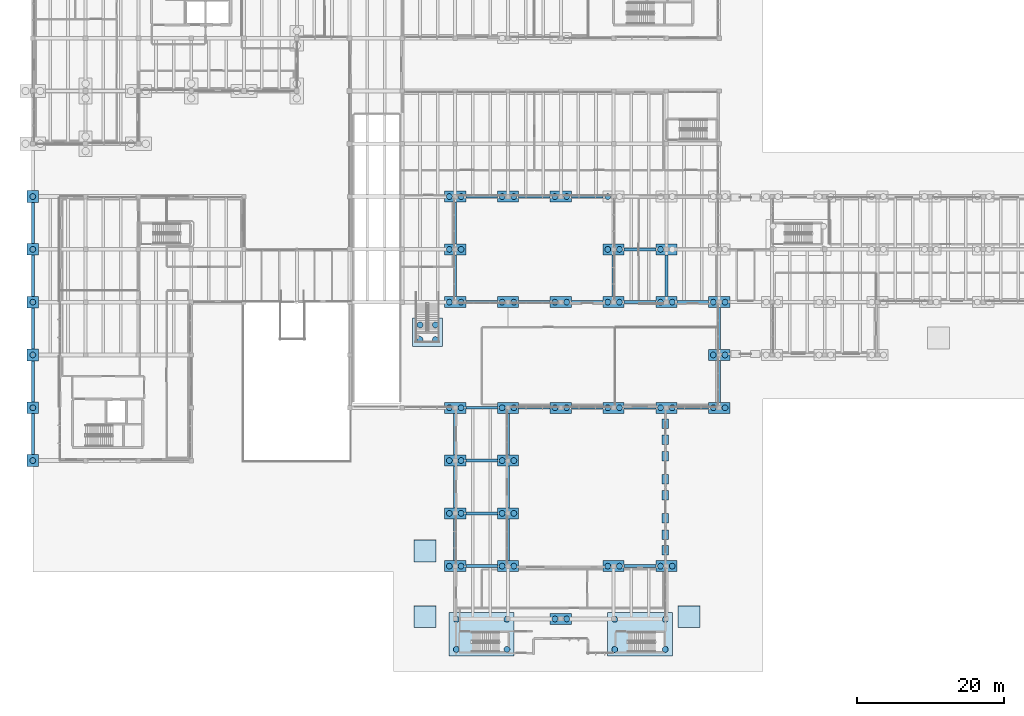
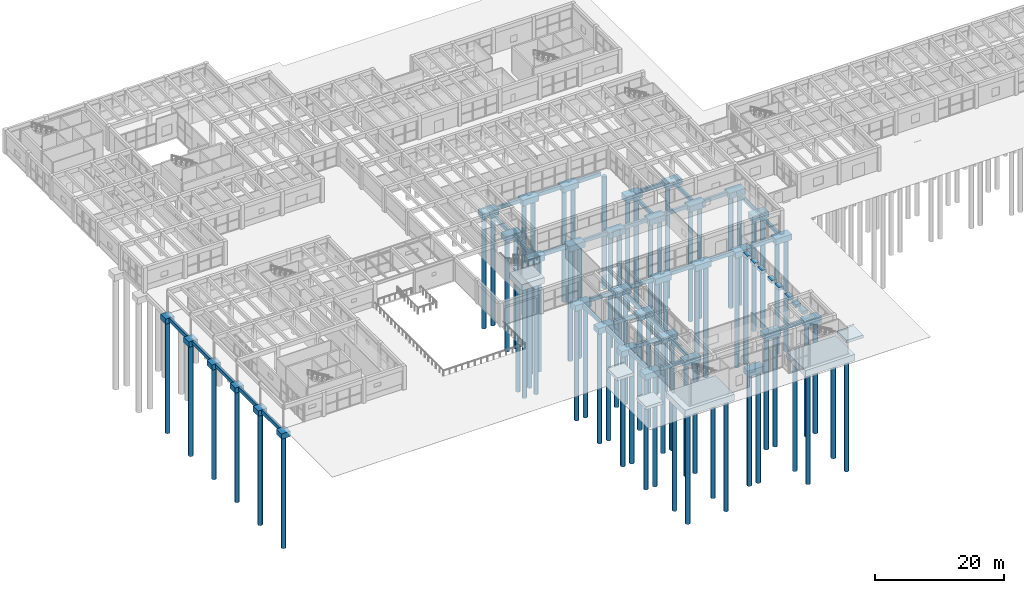
# One storey, part 1 of 155: 83 footings, 74 piles.
"""IFC4 building model written with IfcOpenShell, lengths in metres."""

from ifc_helpers import new_model, si_unit, direction, frame, origin, origin_2d, place, context, subcontext, project, spatial, rectangle, circle, extrude, material, material_profile, profile_set, type_object, element, save


model = new_model("IFC4")

# Units and contexts
model_context = context("Model", 3, precision=1e-05, world=origin(), true_north=direction((0.0, 1.0)))
body_context = subcontext(model_context, "Body", "Model", "MODEL_VIEW")
ifc_project = project(units=[si_unit("LENGTHUNIT", "METRE"), si_unit("AREAUNIT", "SQUARE_METRE"), si_unit("VOLUMEUNIT", "CUBIC_METRE"), si_unit("PLANEANGLEUNIT", "RADIAN"), si_unit("MASSUNIT", "GRAM", prefix="KILO")], contexts=[model_context])

# Site, building, storey
site_placement = place(None, origin())
site = spatial("IfcSite", under=ifc_project, at=site_placement, CompositionType="ELEMENT")
building_placement = place(site_placement, origin())
building = spatial("IfcBuilding", under=site, at=building_placement, Name="Bramvelor Terrace Health Centre", CompositionType="ELEMENT")
storey_placement = place(building_placement, origin())
storey = spatial("IfcBuildingStorey", under=building, at=storey_placement, Name="L01", CompositionType="ELEMENT", Elevation=0.0)

# Footings
ifc_material_1 = material(Name="Concrete C40/50", Category="concrete")
ifc_material_profile_1 = material_profile(ifc_material_1, rectangle(XDim=0.39990234375, YDim=0.699951171875, at=origin_2d()), Name="RC 400x700")
ifc_profile_set_1 = profile_set([ifc_material_profile_1], Name="Concrete C40/50")
footing_type_1 = type_object("IfcFootingType", Name="FTG-FB-400x700", PredefinedType="FOOTING_BEAM", material=ifc_profile_set_1)
for number, where, z_axis, x_axis, name in (
    (1, (0.0, 29.60009765625, -0.60009765625), (0.0, 1.0, 0.0), (-1.0, 0.0, 0.0), "L01 Ground Tie Beam Y (0.0, 28.8)"),
    (2, (0.0, 36.800048828125, -0.60009765625), (0.0, 1.0, 0.0), (-1.0, 0.0, 0.0), "L01 Ground Tie Beam Y (0.0, 36.0)"),
):
    element("IfcFooting", number, at=place(storey_placement, frame(where, z_axis=z_axis, x_axis=x_axis)), inside=storey, type_object=footing_type_1, Name=name, PredefinedType="FOOTING_BEAM", context=body_context, shape_type="SweptSolid", body=[
        extrude(rectangle(XDim=0.39990234375, YDim=0.699951171875, at=origin_2d()), origin(), (0.0, 0.0, 1.0), 5.599853515625),
    ])
for number, where, z_axis, x_axis, name in (
    (3, (0.0, 44.0, -0.60009765625), (0.0, 1.0, 0.0), (-1.0, 0.0, 0.0), "L01 Ground Tie Beam Y (0.0, 43.2)"),
    (4, (0.0, 51.199951171875, -0.60009765625), (0.0, 1.0, 0.0), (-1.0, 0.0, 0.0), "L01 Ground Tie Beam Y (0.0, 50.4)"),
    (5, (0.0, 58.39990234375, -0.60009765625), (0.0, 1.0, 0.0), (-1.0, 0.0, 0.0), "L01 Ground Tie Beam Y (0.0, 57.6)"),
):
    element("IfcFooting", number, at=place(storey_placement, frame(where, z_axis=z_axis, x_axis=x_axis)), inside=storey, type_object=footing_type_1, Name=name, PredefinedType="FOOTING_BEAM", context=body_context, shape_type="SweptSolid", body=[
        extrude(rectangle(XDim=0.39990234375, YDim=0.699951171875, at=origin_2d()), origin(), (0.0, 0.0, 1.0), 5.60009765625),
    ])
footing_1_placement = place(storey_placement, frame((59.050048828125, 14.39990234375, -0.60009765625), z_axis=(1.0, 0.0, 0.0), x_axis=(0.0, 1.0, 0.0)))
element("IfcFooting", 6, at=footing_1_placement, inside=storey, type_object=footing_type_1, Name="L01 Ground Tie Beam X (57.6, 14.4)", PredefinedType="FOOTING_BEAM", context=body_context, shape_type="SweptSolid", body=[
    extrude(rectangle(XDim=0.39990234375, YDim=0.699951171875, at=origin_2d()), origin(), (0.0, 0.0, 1.0), 4.300048828125),
])
footing_2_placement = place(storey_placement, frame((57.60009765625, 15.14990234375, -0.60009765625), z_axis=(0.0, 1.0, 0.0), x_axis=(-1.0, 0.0, 0.0)))
element("IfcFooting", 7, at=footing_2_placement, inside=storey, type_object=footing_type_1, Name="L01 Ground Tie Beam Y (57.6, 14.4)", PredefinedType="FOOTING_BEAM", context=body_context, shape_type="SweptSolid", body=[
    extrude(rectangle(XDim=0.39990234375, YDim=0.699951171875, at=origin_2d()), origin(), (0.0, 0.0, 1.0), 5.7001953125),
])
footing_3_placement = place(storey_placement, frame((59.050048828125, 21.60009765625, -0.60009765625), z_axis=(1.0, 0.0, 0.0), x_axis=(0.0, 1.0, 0.0)))
element("IfcFooting", 8, at=footing_3_placement, inside=storey, type_object=footing_type_1, Name="L01 Ground Tie Beam X (57.6, 21.6)", PredefinedType="FOOTING_BEAM", context=body_context, shape_type="SweptSolid", body=[
    extrude(rectangle(XDim=0.39990234375, YDim=0.699951171875, at=origin_2d()), origin(), (0.0, 0.0, 1.0), 4.300048828125),
])
footing_4_placement = place(storey_placement, frame((57.60009765625, 22.35009765625, -0.60009765625), z_axis=(0.0, 1.0, 0.0), x_axis=(-1.0, 0.0, 0.0)))
element("IfcFooting", 9, at=footing_4_placement, inside=storey, type_object=footing_type_1, Name="L01 Ground Tie Beam Y (57.6, 21.6)", PredefinedType="FOOTING_BEAM", context=body_context, shape_type="SweptSolid", body=[
    extrude(rectangle(XDim=0.39990234375, YDim=0.699951171875, at=origin_2d()), origin(), (0.0, 0.0, 1.0), 5.699951171875),
])
footing_5_placement = place(storey_placement, frame((59.050048828125, 28.800048828125, -0.60009765625), z_axis=(1.0, 0.0, 0.0), x_axis=(0.0, 1.0, 0.0)))
element("IfcFooting", 10, at=footing_5_placement, inside=storey, type_object=footing_type_1, Name="L01 Ground Tie Beam X (57.6, 28.8)", PredefinedType="FOOTING_BEAM", context=body_context, shape_type="SweptSolid", body=[
    extrude(rectangle(XDim=0.39990234375, YDim=0.699951171875, at=origin_2d()), origin(), (0.0, 0.0, 1.0), 4.300048828125),
])
footing_6_placement = place(storey_placement, frame((57.60009765625, 29.550048828125, -0.60009765625), z_axis=(0.0, 1.0, 0.0), x_axis=(-1.0, 0.0, 0.0)))
element("IfcFooting", 11, at=footing_6_placement, inside=storey, type_object=footing_type_1, Name="L01 Ground Tie Beam Y (57.6, 28.8)", PredefinedType="FOOTING_BEAM", context=body_context, shape_type="SweptSolid", body=[
    extrude(rectangle(XDim=0.39990234375, YDim=0.699951171875, at=origin_2d()), origin(), (0.0, 0.0, 1.0), 5.699951171875),
])
for number, where, z_axis, x_axis, name in (
    (12, (59.050048828125, 36.0, -0.60009765625), (1.0, 0.0, 0.0), (0.0, 1.0, 0.0), "L01 Ground Tie Beam X (57.6, 36.0)"),
    (13, (59.050048828125, 50.39990234375, -0.60009765625), (1.0, 0.0, 0.0), (0.0, 1.0, 0.0), "L01 Ground Tie Beam X (57.6, 50.4)"),
):
    element("IfcFooting", number, at=place(storey_placement, frame(where, z_axis=z_axis, x_axis=x_axis)), inside=storey, type_object=footing_type_1, Name=name, PredefinedType="FOOTING_BEAM", context=body_context, shape_type="SweptSolid", body=[
        extrude(rectangle(XDim=0.39990234375, YDim=0.699951171875, at=origin_2d()), origin(), (0.0, 0.0, 1.0), 4.300048828125),
    ])
footing_7_placement = place(storey_placement, frame((57.60009765625, 51.14990234375, -0.60009765625), z_axis=(0.0, 1.0, 0.0), x_axis=(-1.0, 0.0, 0.0)))
element("IfcFooting", 14, at=footing_7_placement, inside=storey, type_object=footing_type_1, Name="L01 Ground Tie Beam Y (57.6, 50.4)", PredefinedType="FOOTING_BEAM", context=body_context, shape_type="SweptSolid", body=[
    extrude(rectangle(XDim=0.39990234375, YDim=0.699951171875, at=origin_2d()), origin(), (0.0, 0.0, 1.0), 5.7001953125),
])
footing_8_placement = place(storey_placement, frame((57.60009765625, 58.35009765625, -0.60009765625), z_axis=(0.0, 1.0, 0.0), x_axis=(-1.0, 0.0, 0.0)))
element("IfcFooting", 15, at=footing_8_placement, inside=storey, type_object=footing_type_1, Name="L01 Ground Tie Beam Y (57.6, 57.6)", PredefinedType="FOOTING_BEAM", context=body_context, shape_type="SweptSolid", body=[
    extrude(rectangle(XDim=0.39990234375, YDim=0.699951171875, at=origin_2d()), origin(), (0.0, 0.0, 1.0), 5.699951171875),
])
footing_9_placement = place(storey_placement, frame((59.050048828125, 64.800048828125, -0.60009765625), z_axis=(1.0, 0.0, 0.0), x_axis=(0.0, 1.0, 0.0)))
element("IfcFooting", 16, at=footing_9_placement, inside=storey, type_object=footing_type_1, Name="L01 Ground Tie Beam X (57.6, 64.8)", PredefinedType="FOOTING_BEAM", context=body_context, shape_type="SweptSolid", body=[
    extrude(rectangle(XDim=0.39990234375, YDim=0.699951171875, at=origin_2d()), origin(), (0.0, 0.0, 1.0), 4.300048828125),
])
footing_10_placement = place(storey_placement, frame((64.800048828125, 15.14990234375, -0.60009765625), z_axis=(0.0, 1.0, 0.0), x_axis=(-1.0, 0.0, 0.0)))
element("IfcFooting", 17, at=footing_10_placement, inside=storey, type_object=footing_type_1, Name="L01 Ground Tie Beam Y (64.8, 14.4)", PredefinedType="FOOTING_BEAM", context=body_context, shape_type="SweptSolid", body=[
    extrude(rectangle(XDim=0.39990234375, YDim=0.699951171875, at=origin_2d()), origin(), (0.0, 0.0, 1.0), 5.7001953125),
])
for number, where, z_axis, x_axis, name in (
    (18, (64.800048828125, 22.35009765625, -0.60009765625), (0.0, 1.0, 0.0), (-1.0, 0.0, 0.0), "L01 Ground Tie Beam Y (64.8, 21.6)"),
    (19, (64.800048828125, 29.550048828125, -0.60009765625), (0.0, 1.0, 0.0), (-1.0, 0.0, 0.0), "L01 Ground Tie Beam Y (64.8, 28.8)"),
):
    element("IfcFooting", number, at=place(storey_placement, frame(where, z_axis=z_axis, x_axis=x_axis)), inside=storey, type_object=footing_type_1, Name=name, PredefinedType="FOOTING_BEAM", context=body_context, shape_type="SweptSolid", body=[
        extrude(rectangle(XDim=0.39990234375, YDim=0.699951171875, at=origin_2d()), origin(), (0.0, 0.0, 1.0), 5.699951171875),
    ])
for number, where, z_axis, x_axis, name in (
    (20, (66.25, 36.0, -0.60009765625), (1.0, 0.0, 0.0), (0.0, 1.0, 0.0), "L01 Ground Tie Beam X (64.8, 36.0)"),
    (21, (66.25, 50.39990234375, -0.60009765625), (1.0, 0.0, 0.0), (0.0, 1.0, 0.0), "L01 Ground Tie Beam X (64.8, 50.4)"),
    (22, (66.25, 64.800048828125, -0.60009765625), (1.0, 0.0, 0.0), (0.0, 1.0, 0.0), "L01 Ground Tie Beam X (64.8, 64.8)"),
    (23, (73.449951171875, 36.0, -0.60009765625), (1.0, 0.0, 0.0), (0.0, 1.0, 0.0), "L01 Ground Tie Beam X (72.0, 36.0)"),
    (24, (73.449951171875, 50.39990234375, -0.60009765625), (1.0, 0.0, 0.0), (0.0, 1.0, 0.0), "L01 Ground Tie Beam X (72.0, 50.4)"),
    (25, (73.449951171875, 64.800048828125, -0.60009765625), (1.0, 0.0, 0.0), (0.0, 1.0, 0.0), "L01 Ground Tie Beam X (72.0, 64.8)"),
    (26, (80.64990234375, 14.39990234375, -0.60009765625), (1.0, 0.0, 0.0), (0.0, 1.0, 0.0), "L01 Ground Tie Beam X (79.2, 14.4)"),
    (27, (80.64990234375, 36.0, -0.60009765625), (1.0, 0.0, 0.0), (0.0, 1.0, 0.0), "L01 Ground Tie Beam X (79.2, 36.0)"),
    (28, (80.64990234375, 50.39990234375, -0.60009765625), (1.0, 0.0, 0.0), (0.0, 1.0, 0.0), "L01 Ground Tie Beam X (79.2, 50.4)"),
):
    element("IfcFooting", number, at=place(storey_placement, frame(where, z_axis=z_axis, x_axis=x_axis)), inside=storey, type_object=footing_type_1, Name=name, PredefinedType="FOOTING_BEAM", context=body_context, shape_type="SweptSolid", body=[
        extrude(rectangle(XDim=0.39990234375, YDim=0.699951171875, at=origin_2d()), origin(), (0.0, 0.0, 1.0), 4.300048828125),
    ])
footing_11_placement = place(storey_placement, frame((79.199951171875, 51.14990234375, -0.60009765625), z_axis=(0.0, 1.0, 0.0), x_axis=(-1.0, 0.0, 0.0)))
element("IfcFooting", 29, at=footing_11_placement, inside=storey, type_object=footing_type_1, Name="L01 Ground Tie Beam Y (79.2, 50.4)", PredefinedType="FOOTING_BEAM", context=body_context, shape_type="SweptSolid", body=[
    extrude(rectangle(XDim=0.39990234375, YDim=0.699951171875, at=origin_2d()), origin(), (0.0, 0.0, 1.0), 5.7001953125),
])
footing_12_placement = place(storey_placement, frame((80.64990234375, 57.60009765625, -0.60009765625), z_axis=(1.0, 0.0, 0.0), x_axis=(0.0, 1.0, 0.0)))
element("IfcFooting", 30, at=footing_12_placement, inside=storey, type_object=footing_type_1, Name="L01 Ground Tie Beam X (79.2, 57.6)", PredefinedType="FOOTING_BEAM", context=body_context, shape_type="SweptSolid", body=[
    extrude(rectangle(XDim=0.39990234375, YDim=0.699951171875, at=origin_2d()), origin(), (0.0, 0.0, 1.0), 4.300048828125),
])
for number, where, z_axis, x_axis, name in (
    (31, (87.85009765625, 36.0, -0.60009765625), (1.0, 0.0, 0.0), (0.0, 1.0, 0.0), "L01 Ground Tie Beam X (86.4, 36.0)"),
    (32, (87.85009765625, 50.39990234375, -0.60009765625), (1.0, 0.0, 0.0), (0.0, 1.0, 0.0), "L01 Ground Tie Beam X (86.4, 50.4)"),
):
    element("IfcFooting", number, at=place(storey_placement, frame(where, z_axis=z_axis, x_axis=x_axis)), inside=storey, type_object=footing_type_1, Name=name, PredefinedType="FOOTING_BEAM", context=body_context, shape_type="SweptSolid", body=[
        extrude(rectangle(XDim=0.39990234375, YDim=0.699951171875, at=origin_2d()), origin(), (0.0, 0.0, 1.0), 4.2998046875),
    ])
footing_13_placement = place(storey_placement, frame((86.39990234375, 51.14990234375, -0.60009765625), z_axis=(0.0, 1.0, 0.0), x_axis=(-1.0, 0.0, 0.0)))
element("IfcFooting", 33, at=footing_13_placement, inside=storey, type_object=footing_type_1, Name="L01 Ground Tie Beam Y (86.4, 50.4)", PredefinedType="FOOTING_BEAM", context=body_context, shape_type="SweptSolid", body=[
    extrude(rectangle(XDim=0.39990234375, YDim=0.699951171875, at=origin_2d()), origin(), (0.0, 0.0, 1.0), 5.7001953125),
])
for number, where, z_axis, x_axis, name in (
    (34, (93.60009765625, 36.75, -0.60009765625), (0.0, 1.0, 0.0), (-1.0, 0.0, 0.0), "L01 Ground Tie Beam Y (93.6, 36.0)"),
    (35, (93.60009765625, 43.949951171875, -0.60009765625), (0.0, 1.0, 0.0), (-1.0, 0.0, 0.0), "L01 Ground Tie Beam Y (93.6, 43.2)"),
):
    element("IfcFooting", number, at=place(storey_placement, frame(where, z_axis=z_axis, x_axis=x_axis)), inside=storey, type_object=footing_type_1, Name=name, PredefinedType="FOOTING_BEAM", context=body_context, shape_type="SweptSolid", body=[
        extrude(rectangle(XDim=0.39990234375, YDim=0.699951171875, at=origin_2d()), origin(), (0.0, 0.0, 1.0), 5.699951171875),
    ])
ifc_material_2 = material(Name="Concrete C40/50", Category="concrete")
footing_type_2 = type_object("IfcFootingType", Name="FTG-PAD-GATE", PredefinedType="PAD_FOOTING", material=ifc_material_2)
for number, where, z_axis, x_axis, name in (
    (36, (86.27001953125, 16.550048828125, -0.60009765625), (0.0, 0.0, 1.0), (1.0, 0.0, 0.0), "Service Yard Gate Pad Footing 1A"),
    (37, (86.27001953125, 18.68994140625, -0.60009765625), (0.0, 0.0, 1.0), (1.0, 0.0, 0.0), "Service Yard Gate Pad Footing 1B"),
    (38, (86.27001953125, 20.909912109375, -0.60009765625), (0.0, 0.0, 1.0), (1.0, 0.0, 0.0), "Service Yard Gate Pad Footing 2A"),
    (39, (86.27001953125, 24.050048828125, -0.60009765625), (0.0, 0.0, 1.0), (1.0, 0.0, 0.0), "Service Yard Gate Pad Footing 2B"),
    (40, (86.27001953125, 26.27001953125, -0.60009765625), (0.0, 0.0, 1.0), (1.0, 0.0, 0.0), "Service Yard Gate Pad Footing 3A"),
    (41, (86.27001953125, 29.409912109375, -0.60009765625), (0.0, 0.0, 1.0), (1.0, 0.0, 0.0), "Service Yard Gate Pad Footing 3B"),
    (42, (86.27001953125, 31.6298828125, -0.60009765625), (0.0, 0.0, 1.0), (1.0, 0.0, 0.0), "Service Yard Gate Pad Footing 4A"),
    (43, (86.27001953125, 33.830078125, -0.60009765625), (0.0, 0.0, 1.0), (1.0, 0.0, 0.0), "Service Yard Gate Pad Footing 4B"),
):
    element("IfcFooting", number, at=place(storey_placement, frame(where, z_axis=z_axis, x_axis=x_axis)), inside=storey, type_object=footing_type_2, Name=name, PredefinedType="PAD_FOOTING", context=body_context, shape_type="SweptSolid", body=[
        extrude(rectangle(XDim=0.89990234375, YDim=1.300048828125, at=origin_2d()), origin(), (0.0, 0.0, 1.0), 0.60009765625),
    ])
ifc_material_3 = material(Name="Concrete C40/50", Category="concrete")
footing_type_3 = type_object("IfcFootingType", Name="FTG-PAD-RMP", PredefinedType="PAD_FOOTING", material=ifc_material_3)
for number, where, z_axis, x_axis, name in (
    (44, (53.5, 7.5, -0.77490234375), (0.0, 0.0, 1.0), (1.0, 0.0, 0.0), "Accessible Ramp PR1 Pad Foundation"),
    (45, (89.5, 7.5, -0.77490234375), (0.0, 0.0, 1.0), (1.0, 0.0, 0.0), "Accessible Ramp PR2 Pad Foundation"),
    (46, (53.5, 16.5, -0.77490234375), (0.0, 0.0, 1.0), (1.0, 0.0, 0.0), "Accessible Ramp PR3 Pad Foundation"),
):
    element("IfcFooting", number, at=place(storey_placement, frame(where, z_axis=z_axis, x_axis=x_axis)), inside=storey, type_object=footing_type_3, Name=name, PredefinedType="PAD_FOOTING", context=body_context, shape_type="SweptSolid", body=[
        extrude(rectangle(XDim=3.0, YDim=3.0, at=origin_2d()), origin(), (0.0, 0.0, 1.0), 0.550048828125),
    ])
ifc_material_4 = material(Name="Concrete C40/50", Category="concrete")
footing_type_4 = type_object("IfcFootingType", Name="FTG-PC-1P-800", PredefinedType="PILE_CAP", material=ifc_material_4)
for number, where, z_axis, x_axis, name in (
    (47, (0.0, 28.800048828125, -1.25), (0.0, 0.0, 1.0), (1.0, 0.0, 0.0), "L01 Pile Cap (0.0, 28.8)"),
    (48, (0.0, 36.0, -1.25), (0.0, 0.0, 1.0), (1.0, 0.0, 0.0), "L01 Pile Cap (0.0, 36.0)"),
    (49, (0.0, 43.199951171875, -1.25), (0.0, 0.0, 1.0), (1.0, 0.0, 0.0), "L01 Pile Cap (0.0, 43.2)"),
    (50, (0.0, 50.39990234375, -1.25), (0.0, 0.0, 1.0), (1.0, 0.0, 0.0), "L01 Pile Cap (0.0, 50.4)"),
    (51, (0.0, 57.60009765625, -1.25), (0.0, 0.0, 1.0), (1.0, 0.0, 0.0), "L01 Pile Cap (0.0, 57.6)"),
    (52, (0.0, 64.800048828125, -1.25), (0.0, 0.0, 1.0), (1.0, 0.0, 0.0), "L01 Pile Cap (0.0, 64.8)"),
):
    element("IfcFooting", number, at=place(storey_placement, frame(where, z_axis=z_axis, x_axis=x_axis)), inside=storey, type_object=footing_type_4, Name=name, PredefinedType="PILE_CAP", context=body_context, shape_type="SweptSolid", body=[
        extrude(rectangle(XDim=1.60009765625, YDim=1.60009765625, at=origin_2d()), origin(), (0.0, 0.0, 1.0), 1.0),
    ])
ifc_material_5 = material(Name="Concrete C40/50", Category="concrete")
footing_type_5 = type_object("IfcFootingType", Name="FTG-PC-2PX-800", PredefinedType="PILE_CAP", material=ifc_material_5)
for number, where, z_axis, x_axis, name in (
    (53, (57.60009765625, 14.39990234375, -1.35009765625), (0.0, 0.0, 1.0), (1.0, 0.0, 0.0), "L01 Pile Cap (57.6, 14.4)"),
    (54, (57.60009765625, 21.60009765625, -1.35009765625), (0.0, 0.0, 1.0), (1.0, 0.0, 0.0), "L01 Pile Cap (57.6, 21.6)"),
    (55, (57.60009765625, 28.800048828125, -1.35009765625), (0.0, 0.0, 1.0), (1.0, 0.0, 0.0), "L01 Pile Cap (57.6, 28.8)"),
    (56, (57.60009765625, 36.0, -1.35009765625), (0.0, 0.0, 1.0), (1.0, 0.0, 0.0), "L01 Pile Cap (57.6, 36.0)"),
    (57, (57.60009765625, 50.39990234375, -1.35009765625), (0.0, 0.0, 1.0), (1.0, 0.0, 0.0), "L01 Pile Cap (57.6, 50.4)"),
    (58, (57.60009765625, 57.60009765625, -1.35009765625), (0.0, 0.0, 1.0), (1.0, 0.0, 0.0), "L01 Pile Cap (57.6, 57.6)"),
    (59, (57.60009765625, 64.800048828125, -1.35009765625), (0.0, 0.0, 1.0), (1.0, 0.0, 0.0), "L01 Pile Cap (57.6, 64.8)"),
    (60, (64.800048828125, 14.39990234375, -1.35009765625), (0.0, 0.0, 1.0), (1.0, 0.0, 0.0), "L01 Pile Cap (64.8, 14.4)"),
    (61, (64.800048828125, 21.60009765625, -1.35009765625), (0.0, 0.0, 1.0), (1.0, 0.0, 0.0), "L01 Pile Cap (64.8, 21.6)"),
    (62, (64.800048828125, 28.800048828125, -1.35009765625), (0.0, 0.0, 1.0), (1.0, 0.0, 0.0), "L01 Pile Cap (64.8, 28.8)"),
    (63, (64.800048828125, 36.0, -1.35009765625), (0.0, 0.0, 1.0), (1.0, 0.0, 0.0), "L01 Pile Cap (64.8, 36.0)"),
    (64, (64.800048828125, 50.39990234375, -1.35009765625), (0.0, 0.0, 1.0), (1.0, 0.0, 0.0), "L01 Pile Cap (64.8, 50.4)"),
    (65, (64.800048828125, 64.800048828125, -1.35009765625), (0.0, 0.0, 1.0), (1.0, 0.0, 0.0), "L01 Pile Cap (64.8, 64.8)"),
    (66, (72.0, 7.199951171875, -1.35009765625), (0.0, 0.0, 1.0), (1.0, 0.0, 0.0), "L01 Pile Cap (72.0, 7.2)"),
    (67, (72.0, 36.0, -1.35009765625), (0.0, 0.0, 1.0), (1.0, 0.0, 0.0), "L01 Pile Cap (72.0, 36.0)"),
    (68, (72.0, 50.39990234375, -1.35009765625), (0.0, 0.0, 1.0), (1.0, 0.0, 0.0), "L01 Pile Cap (72.0, 50.4)"),
    (69, (72.0, 64.800048828125, -1.35009765625), (0.0, 0.0, 1.0), (1.0, 0.0, 0.0), "L01 Pile Cap (72.0, 64.8)"),
    (70, (79.199951171875, 14.39990234375, -1.35009765625), (0.0, 0.0, 1.0), (1.0, 0.0, 0.0), "L01 Pile Cap (79.2, 14.4)"),
    (71, (79.199951171875, 36.0, -1.35009765625), (0.0, 0.0, 1.0), (1.0, 0.0, 0.0), "L01 Pile Cap (79.2, 36.0)"),
    (72, (79.199951171875, 50.39990234375, -1.35009765625), (0.0, 0.0, 1.0), (1.0, 0.0, 0.0), "L01 Pile Cap (79.2, 50.4)"),
    (73, (79.199951171875, 57.60009765625, -1.35009765625), (0.0, 0.0, 1.0), (1.0, 0.0, 0.0), "L01 Pile Cap (79.2, 57.6)"),
    (74, (86.39990234375, 14.39990234375, -1.35009765625), (0.0, 0.0, 1.0), (1.0, 0.0, 0.0), "L01 Pile Cap (86.4, 14.4)"),
    (75, (86.39990234375, 36.0, -1.35009765625), (0.0, 0.0, 1.0), (1.0, 0.0, 0.0), "L01 Pile Cap (86.4, 36.0)"),
    (76, (86.39990234375, 50.39990234375, -1.35009765625), (0.0, 0.0, 1.0), (1.0, 0.0, 0.0), "L01 Pile Cap (86.4, 50.4)"),
    (77, (86.39990234375, 57.60009765625, -1.35009765625), (0.0, 0.0, 1.0), (1.0, 0.0, 0.0), "L01 Pile Cap (86.4, 57.6)"),
    (78, (93.60009765625, 36.0, -1.35009765625), (0.0, 0.0, 1.0), (1.0, 0.0, 0.0), "L01 Pile Cap (93.6, 36.0)"),
    (79, (93.60009765625, 43.199951171875, -1.35009765625), (0.0, 0.0, 1.0), (1.0, 0.0, 0.0), "L01 Pile Cap (93.6, 43.2)"),
    (80, (93.60009765625, 50.39990234375, -1.35009765625), (0.0, 0.0, 1.0), (1.0, 0.0, 0.0), "L01 Pile Cap (93.6, 50.4)"),
):
    element("IfcFooting", number, at=place(storey_placement, frame(where, z_axis=z_axis, x_axis=x_axis)), inside=storey, type_object=footing_type_5, Name=name, PredefinedType="PILE_CAP", context=body_context, shape_type="SweptSolid", body=[
        extrude(rectangle(XDim=2.89990234375, YDim=1.5, at=origin_2d()), origin(), (0.0, 0.0, 1.0), 1.10009765625),
    ])
ifc_material_6 = material(Name="Concrete C40/50", Category="concrete")
footing_type_6 = type_object("IfcFootingType", Name="FTG-PC-ST11", PredefinedType="PILE_CAP", material=ifc_material_6)
footing_14_placement = place(storey_placement, frame((53.85009765625, 46.300048828125, -1.39990234375), z_axis=(0.0, 0.0, 1.0), x_axis=(1.0, 0.0, 0.0)))
element("IfcFooting", 81, at=footing_14_placement, inside=storey, type_object=footing_type_6, Name="ST-11 Half-Landing Pile Cap", PredefinedType="PILE_CAP", context=body_context, shape_type="SweptSolid", body=[
    extrude(rectangle(XDim=4.10009765625, YDim=3.89990234375, at=origin_2d()), origin(), (0.0, 0.0, 1.0), 1.14990234375),
])
ifc_material_7 = material(Name="Concrete C40/50", Category="concrete")
footing_type_7 = type_object("IfcFootingType", Name="FTG-PC-STR-S10", PredefinedType="PILE_CAP", material=ifc_material_7)
footing_15_placement = place(storey_placement, frame((82.800048828125, 5.10009765625, -1.4501953125), z_axis=(0.0, 0.0, 1.0), x_axis=(1.0, 0.0, 0.0)))
element("IfcFooting", 82, at=footing_15_placement, inside=storey, type_object=footing_type_7, Name="ST-10 Stair Shaft Pile Cap", PredefinedType="PILE_CAP", context=body_context, shape_type="SweptSolid", body=[
    extrude(rectangle(XDim=8.89990234375, YDim=5.89990234375, at=origin_2d()), origin(), (0.0, 0.0, 1.0), 1.199951171875),
])
ifc_material_8 = material(Name="Concrete C40/50", Category="concrete")
footing_type_8 = type_object("IfcFootingType", Name="FTG-PC-STR-S9", PredefinedType="PILE_CAP", material=ifc_material_8)
footing_16_placement = place(storey_placement, frame((61.199951171875, 5.10009765625, -1.4501953125), z_axis=(0.0, 0.0, 1.0), x_axis=(1.0, 0.0, 0.0)))
element("IfcFooting", 83, at=footing_16_placement, inside=storey, type_object=footing_type_8, Name="ST-9 Stair Shaft Pile Cap", PredefinedType="PILE_CAP", context=body_context, shape_type="SweptSolid", body=[
    extrude(rectangle(XDim=8.89990234375, YDim=5.89990234375, at=origin_2d()), origin(), (0.0, 0.0, 1.0), 1.199951171875),
])

# Piles
ifc_material_9 = material(Name="Concrete C40/50", Category="concrete")
ifc_material_profile_2 = material_profile(ifc_material_9, circle(Radius=0.39990234375, at=origin_2d()), Name="BP D800")
ifc_profile_set_2 = profile_set([ifc_material_profile_2], Name="Concrete C40/50")
pile_type = type_object("IfcPileType", Name="PILE-BP-800", PredefinedType="BORED", material=ifc_profile_set_2)
for number, where, z_axis, x_axis, name in (
    (84, (57.75, 3.050048828125, -1.330078125), (0.0, 0.0, -1.0), (1.0, 0.0, 0.0), "ST-9 Bored Pile 1"),
    (85, (64.64990234375, 3.050048828125, -1.330078125), (0.0, 0.0, -1.0), (1.0, 0.0, 0.0), "ST-9 Bored Pile 2"),
    (86, (57.75, 7.14990234375, -1.330078125), (0.0, 0.0, -1.0), (1.0, 0.0, 0.0), "ST-9 Bored Pile 3"),
    (87, (64.64990234375, 7.14990234375, -1.330078125), (0.0, 0.0, -1.0), (1.0, 0.0, 0.0), "ST-9 Bored Pile 4"),
    (88, (79.35009765625, 3.050048828125, -1.330078125), (0.0, 0.0, -1.0), (1.0, 0.0, 0.0), "ST-10 Bored Pile 1"),
    (89, (86.25, 3.050048828125, -1.330078125), (0.0, 0.0, -1.0), (1.0, 0.0, 0.0), "ST-10 Bored Pile 2"),
    (90, (79.35009765625, 7.14990234375, -1.330078125), (0.0, 0.0, -1.0), (1.0, 0.0, 0.0), "ST-10 Bored Pile 3"),
    (91, (86.25, 7.14990234375, -1.330078125), (0.0, 0.0, -1.0), (1.0, 0.0, 0.0), "ST-10 Bored Pile 4"),
):
    element("IfcPile", number, at=place(storey_placement, frame(where, z_axis=z_axis, x_axis=x_axis)), inside=storey, type_object=pile_type, Name=name, PredefinedType="BORED", context=body_context, shape_type="SweptSolid", body=[
        extrude(circle(Radius=0.39990234375, at=origin_2d()), origin(), (0.0, 0.0, 1.0), 21.169921875),
    ])
for number, where, z_axis, x_axis, name in (
    (92, (52.800048828125, 45.300048828125, -1.280029296875), (0.0, 0.0, -1.0), (1.0, 0.0, 0.0), "ST-11 Bored Pile 1"),
    (93, (54.89990234375, 45.300048828125, -1.280029296875), (0.0, 0.0, -1.0), (1.0, 0.0, 0.0), "ST-11 Bored Pile 2"),
    (94, (52.800048828125, 47.300048828125, -1.280029296875), (0.0, 0.0, -1.0), (1.0, 0.0, 0.0), "ST-11 Bored Pile 3"),
    (95, (54.89990234375, 47.300048828125, -1.280029296875), (0.0, 0.0, -1.0), (1.0, 0.0, 0.0), "ST-11 Bored Pile 4"),
):
    element("IfcPile", number, at=place(storey_placement, frame(where, z_axis=z_axis, x_axis=x_axis)), inside=storey, type_object=pile_type, Name=name, PredefinedType="BORED", context=body_context, shape_type="SweptSolid", body=[
        extrude(circle(Radius=0.39990234375, at=origin_2d()), origin(), (0.0, 0.0, 1.0), 21.219970703125),
    ])
for number, where, z_axis, x_axis, name in (
    (96, (0.0, 28.800048828125, -1.1298828125), (0.0, 0.0, -1.0), (1.0, 0.0, 0.0), "L01 Bored Pile (0.0, 28.8)"),
    (97, (0.0, 36.0, -1.1298828125), (0.0, 0.0, -1.0), (1.0, 0.0, 0.0), "L01 Bored Pile (0.0, 36.0)"),
    (98, (0.0, 43.199951171875, -1.1298828125), (0.0, 0.0, -1.0), (1.0, 0.0, 0.0), "L01 Bored Pile (0.0, 43.2)"),
    (99, (0.0, 50.39990234375, -1.1298828125), (0.0, 0.0, -1.0), (1.0, 0.0, 0.0), "L01 Bored Pile (0.0, 50.4)"),
    (100, (0.0, 57.60009765625, -1.1298828125), (0.0, 0.0, -1.0), (1.0, 0.0, 0.0), "L01 Bored Pile (0.0, 57.6)"),
    (101, (0.0, 64.800048828125, -1.1298828125), (0.0, 0.0, -1.0), (1.0, 0.0, 0.0), "L01 Bored Pile (0.0, 64.8)"),
):
    element("IfcPile", number, at=place(storey_placement, frame(where, z_axis=z_axis, x_axis=x_axis)), inside=storey, type_object=pile_type, Name=name, PredefinedType="BORED", context=body_context, shape_type="SweptSolid", body=[
        extrude(circle(Radius=0.39990234375, at=origin_2d()), origin(), (0.0, 0.0, 1.0), 21.3701171875),
    ])
for number, where, z_axis, x_axis, name in (
    (102, (56.800048828125, 14.39990234375, -1.22998046875), (0.0, 0.0, -1.0), (1.0, 0.0, 0.0), "L01 Bored Pile (56.8, 14.4)"),
    (103, (58.39990234375, 14.39990234375, -1.22998046875), (0.0, 0.0, -1.0), (1.0, 0.0, 0.0), "L01 Bored Pile (58.4, 14.4)"),
    (104, (56.800048828125, 21.60009765625, -1.22998046875), (0.0, 0.0, -1.0), (1.0, 0.0, 0.0), "L01 Bored Pile (56.8, 21.6)"),
    (105, (58.39990234375, 21.60009765625, -1.22998046875), (0.0, 0.0, -1.0), (1.0, 0.0, 0.0), "L01 Bored Pile (58.4, 21.6)"),
    (106, (56.800048828125, 28.800048828125, -1.22998046875), (0.0, 0.0, -1.0), (1.0, 0.0, 0.0), "L01 Bored Pile (56.8, 28.8)"),
    (107, (58.39990234375, 28.800048828125, -1.22998046875), (0.0, 0.0, -1.0), (1.0, 0.0, 0.0), "L01 Bored Pile (58.4, 28.8)"),
    (108, (56.800048828125, 36.0, -1.22998046875), (0.0, 0.0, -1.0), (1.0, 0.0, 0.0), "L01 Bored Pile (56.8, 36.0)"),
    (109, (58.39990234375, 36.0, -1.22998046875), (0.0, 0.0, -1.0), (1.0, 0.0, 0.0), "L01 Bored Pile (58.4, 36.0)"),
    (110, (56.800048828125, 50.39990234375, -1.22998046875), (0.0, 0.0, -1.0), (1.0, 0.0, 0.0), "L01 Bored Pile (56.8, 50.4)"),
    (111, (58.39990234375, 50.39990234375, -1.22998046875), (0.0, 0.0, -1.0), (1.0, 0.0, 0.0), "L01 Bored Pile (58.4, 50.4)"),
    (112, (56.800048828125, 57.60009765625, -1.22998046875), (0.0, 0.0, -1.0), (1.0, 0.0, 0.0), "L01 Bored Pile (56.8, 57.6)"),
    (113, (58.39990234375, 57.60009765625, -1.22998046875), (0.0, 0.0, -1.0), (1.0, 0.0, 0.0), "L01 Bored Pile (58.4, 57.6)"),
    (114, (56.800048828125, 64.800048828125, -1.22998046875), (0.0, 0.0, -1.0), (1.0, 0.0, 0.0), "L01 Bored Pile (56.8, 64.8)"),
    (115, (58.39990234375, 64.800048828125, -1.22998046875), (0.0, 0.0, -1.0), (1.0, 0.0, 0.0), "L01 Bored Pile (58.4, 64.8)"),
    (116, (64.0, 14.39990234375, -1.22998046875), (0.0, 0.0, -1.0), (1.0, 0.0, 0.0), "L01 Bored Pile (64.0, 14.4)"),
    (117, (65.60009765625, 14.39990234375, -1.22998046875), (0.0, 0.0, -1.0), (1.0, 0.0, 0.0), "L01 Bored Pile (65.6, 14.4)"),
    (118, (64.0, 21.60009765625, -1.22998046875), (0.0, 0.0, -1.0), (1.0, 0.0, 0.0), "L01 Bored Pile (64.0, 21.6)"),
    (119, (65.60009765625, 21.60009765625, -1.22998046875), (0.0, 0.0, -1.0), (1.0, 0.0, 0.0), "L01 Bored Pile (65.6, 21.6)"),
    (120, (64.0, 28.800048828125, -1.22998046875), (0.0, 0.0, -1.0), (1.0, 0.0, 0.0), "L01 Bored Pile (64.0, 28.8)"),
    (121, (65.60009765625, 28.800048828125, -1.22998046875), (0.0, 0.0, -1.0), (1.0, 0.0, 0.0), "L01 Bored Pile (65.6, 28.8)"),
    (122, (64.0, 36.0, -1.22998046875), (0.0, 0.0, -1.0), (1.0, 0.0, 0.0), "L01 Bored Pile (64.0, 36.0)"),
    (123, (65.60009765625, 36.0, -1.22998046875), (0.0, 0.0, -1.0), (1.0, 0.0, 0.0), "L01 Bored Pile (65.6, 36.0)"),
    (124, (64.0, 50.39990234375, -1.22998046875), (0.0, 0.0, -1.0), (1.0, 0.0, 0.0), "L01 Bored Pile (64.0, 50.4)"),
    (125, (65.60009765625, 50.39990234375, -1.22998046875), (0.0, 0.0, -1.0), (1.0, 0.0, 0.0), "L01 Bored Pile (65.6, 50.4)"),
    (126, (64.0, 64.800048828125, -1.22998046875), (0.0, 0.0, -1.0), (1.0, 0.0, 0.0), "L01 Bored Pile (64.0, 64.8)"),
    (127, (65.60009765625, 64.800048828125, -1.22998046875), (0.0, 0.0, -1.0), (1.0, 0.0, 0.0), "L01 Bored Pile (65.6, 64.8)"),
    (128, (71.199951171875, 7.199951171875, -1.22998046875), (0.0, 0.0, -1.0), (1.0, 0.0, 0.0), "L01 Bored Pile (71.2, 7.2)"),
    (129, (72.800048828125, 7.199951171875, -1.22998046875), (0.0, 0.0, -1.0), (1.0, 0.0, 0.0), "L01 Bored Pile (72.8, 7.2)"),
    (130, (71.199951171875, 36.0, -1.22998046875), (0.0, 0.0, -1.0), (1.0, 0.0, 0.0), "L01 Bored Pile (71.2, 36.0)"),
    (131, (72.800048828125, 36.0, -1.22998046875), (0.0, 0.0, -1.0), (1.0, 0.0, 0.0), "L01 Bored Pile (72.8, 36.0)"),
    (132, (71.199951171875, 50.39990234375, -1.22998046875), (0.0, 0.0, -1.0), (1.0, 0.0, 0.0), "L01 Bored Pile (71.2, 50.4)"),
    (133, (72.800048828125, 50.39990234375, -1.22998046875), (0.0, 0.0, -1.0), (1.0, 0.0, 0.0), "L01 Bored Pile (72.8, 50.4)"),
    (134, (71.199951171875, 64.800048828125, -1.22998046875), (0.0, 0.0, -1.0), (1.0, 0.0, 0.0), "L01 Bored Pile (71.2, 64.8)"),
    (135, (72.800048828125, 64.800048828125, -1.22998046875), (0.0, 0.0, -1.0), (1.0, 0.0, 0.0), "L01 Bored Pile (72.8, 64.8)"),
    (136, (78.39990234375, 14.39990234375, -1.22998046875), (0.0, 0.0, -1.0), (1.0, 0.0, 0.0), "L01 Bored Pile (78.4, 14.4)"),
    (137, (80.0, 14.39990234375, -1.22998046875), (0.0, 0.0, -1.0), (1.0, 0.0, 0.0), "L01 Bored Pile (80.0, 14.4)"),
    (138, (78.39990234375, 36.0, -1.22998046875), (0.0, 0.0, -1.0), (1.0, 0.0, 0.0), "L01 Bored Pile (78.4, 36.0)"),
    (139, (80.0, 36.0, -1.22998046875), (0.0, 0.0, -1.0), (1.0, 0.0, 0.0), "L01 Bored Pile (80.0, 36.0)"),
    (140, (78.39990234375, 50.39990234375, -1.22998046875), (0.0, 0.0, -1.0), (1.0, 0.0, 0.0), "L01 Bored Pile (78.4, 50.4)"),
    (141, (80.0, 50.39990234375, -1.22998046875), (0.0, 0.0, -1.0), (1.0, 0.0, 0.0), "L01 Bored Pile (80.0, 50.4)"),
    (142, (78.39990234375, 57.60009765625, -1.22998046875), (0.0, 0.0, -1.0), (1.0, 0.0, 0.0), "L01 Bored Pile (78.4, 57.6)"),
    (143, (80.0, 57.60009765625, -1.22998046875), (0.0, 0.0, -1.0), (1.0, 0.0, 0.0), "L01 Bored Pile (80.0, 57.6)"),
    (144, (78.39990234375, 64.800048828125, -1.22998046875), (0.0, 0.0, -1.0), (1.0, 0.0, 0.0), "L01 Bored Pile (78.4, 64.8)"),
    (145, (85.60009765625, 14.39990234375, -1.22998046875), (0.0, 0.0, -1.0), (1.0, 0.0, 0.0), "L01 Bored Pile (85.6, 14.4)"),
    (146, (87.199951171875, 14.39990234375, -1.22998046875), (0.0, 0.0, -1.0), (1.0, 0.0, 0.0), "L01 Bored Pile (87.2, 14.4)"),
    (147, (85.60009765625, 36.0, -1.22998046875), (0.0, 0.0, -1.0), (1.0, 0.0, 0.0), "L01 Bored Pile (85.6, 36.0)"),
    (148, (87.199951171875, 36.0, -1.22998046875), (0.0, 0.0, -1.0), (1.0, 0.0, 0.0), "L01 Bored Pile (87.2, 36.0)"),
    (149, (85.60009765625, 50.39990234375, -1.22998046875), (0.0, 0.0, -1.0), (1.0, 0.0, 0.0), "L01 Bored Pile (85.6, 50.4)"),
    (150, (87.199951171875, 50.39990234375, -1.22998046875), (0.0, 0.0, -1.0), (1.0, 0.0, 0.0), "L01 Bored Pile (87.2, 50.4)"),
    (151, (85.60009765625, 57.60009765625, -1.22998046875), (0.0, 0.0, -1.0), (1.0, 0.0, 0.0), "L01 Bored Pile (85.6, 57.6)"),
    (152, (92.800048828125, 36.0, -1.22998046875), (0.0, 0.0, -1.0), (1.0, 0.0, 0.0), "L01 Bored Pile (92.8, 36.0)"),
    (153, (94.39990234375, 36.0, -1.22998046875), (0.0, 0.0, -1.0), (1.0, 0.0, 0.0), "L01 Bored Pile (94.4, 36.0)"),
    (154, (92.800048828125, 43.199951171875, -1.22998046875), (0.0, 0.0, -1.0), (1.0, 0.0, 0.0), "L01 Bored Pile (92.8, 43.2)"),
    (155, (94.39990234375, 43.199951171875, -1.22998046875), (0.0, 0.0, -1.0), (1.0, 0.0, 0.0), "L01 Bored Pile (94.4, 43.2)"),
    (156, (92.800048828125, 50.39990234375, -1.22998046875), (0.0, 0.0, -1.0), (1.0, 0.0, 0.0), "L01 Bored Pile (92.8, 50.4)"),
    (157, (94.39990234375, 50.39990234375, -1.22998046875), (0.0, 0.0, -1.0), (1.0, 0.0, 0.0), "L01 Bored Pile (94.4, 50.4)"),
):
    element("IfcPile", number, at=place(storey_placement, frame(where, z_axis=z_axis, x_axis=x_axis)), inside=storey, type_object=pile_type, Name=name, PredefinedType="BORED", context=body_context, shape_type="SweptSolid", body=[
        extrude(circle(Radius=0.39990234375, at=origin_2d()), origin(), (0.0, 0.0, 1.0), 21.27001953125),
    ])

save(model, "model.ifc")
